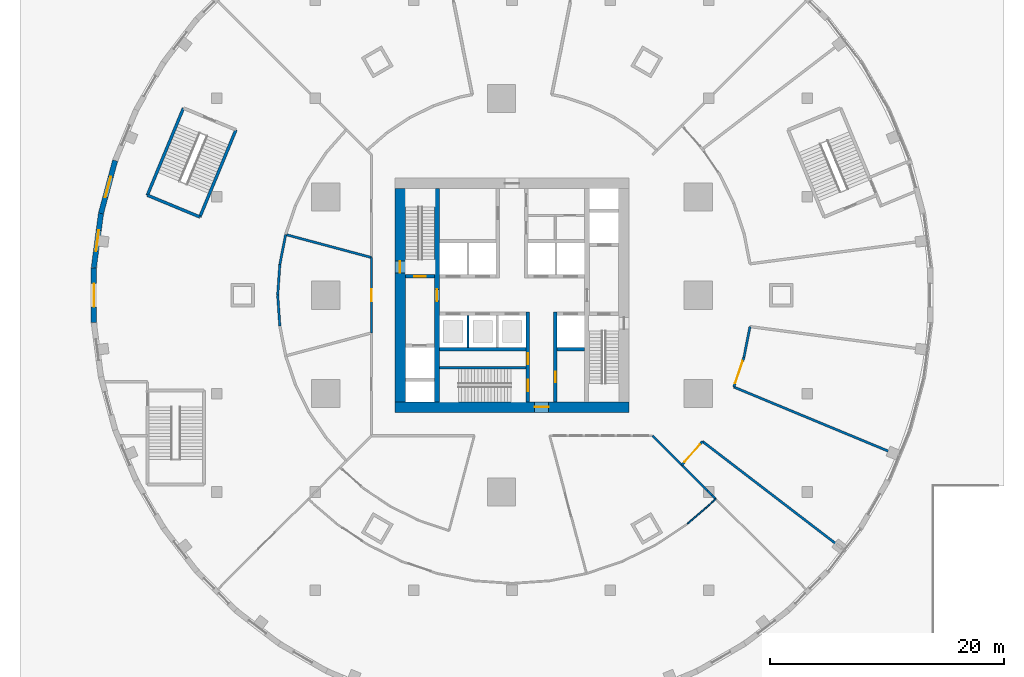
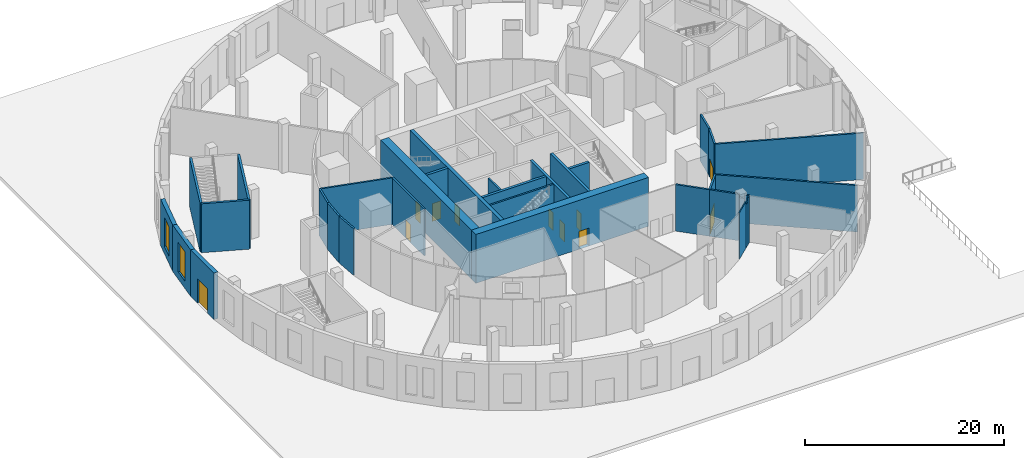
# One storey, part 11 of 19: 33 walls, 11 doors, 2 windows, 13 openings.
"""IFC4 building model written with IfcOpenShell, lengths in metres."""

from ifc_helpers import new_model, si_unit, direction, frame, frame_2d, origin, place, context, subcontext, project, spatial, rectangle, extrude, material, layer, layer_set, type_object, element, fill, save


model = new_model("IFC4")

# Units and contexts
model_context = context("Model", 3, precision=1e-05, world=origin(), true_north=direction((0.0, 1.0)))
body_context = subcontext(model_context, "Body", "Model", "MODEL_VIEW")
ifc_project = project(units=[si_unit("LENGTHUNIT", "METRE"), si_unit("AREAUNIT", "SQUARE_METRE"), si_unit("VOLUMEUNIT", "CUBIC_METRE"), si_unit("PLANEANGLEUNIT", "RADIAN"), si_unit("MASSUNIT", "GRAM", prefix="KILO")], contexts=[model_context])

# Site, building, storey
site_placement = place(None, origin())
site = spatial("IfcSite", under=ifc_project, at=site_placement, CompositionType="ELEMENT")
building_placement = place(site_placement, origin())
building = spatial("IfcBuilding", under=site, at=building_placement, Name="Golbaran Civic Tower", CompositionType="ELEMENT")
storey_placement = place(building_placement, origin())
storey = spatial("IfcBuildingStorey", under=building, at=storey_placement, Name="L00", CompositionType="ELEMENT", Elevation=0.0)

# Wall, opening, door
ifc_material_1 = material(Name="Concrete C50/60", Category="concrete")
ifc_layer_1 = layer(ifc_material_1, 0.39990234375, Name="Concrete C50/60")
ifc_layer_set_1 = layer_set([ifc_layer_1], Name="Concrete C50/60")
wall_type_1 = type_object("IfcWallType", Name="CORE WALL CONCRETE 400", PredefinedType="SOLIDWALL", material=ifc_layer_set_1)
wall_1_placement = place(storey_placement, frame((-6.39990234375, -9.10009765625, 0.0), z_axis=(0.0, 0.0, 1.0), x_axis=(0.0, 1.0, 0.0)))
wall_1 = element("IfcWall", 1, at=wall_1_placement, inside=storey, type_object=wall_type_1, Name="Core wall IW L00", PredefinedType="SOLIDWALL", context=body_context, shape_type="SweptSolid", body=[
    extrude(rectangle(XDim=18.2001953125, YDim=0.39990234375, at=frame_2d((9.10009765625, 0.0))), origin(), (0.0, 0.0, 1.0), 6.0),
])
opening_1_placement = place(wall_1_placement, frame((8.60009765625, 0.0, 0.0)))
opening_1 = element("IfcOpeningElement", 2, at=opening_1_placement, cuts=wall_1, Name="Opening L00.FL1", PredefinedType="OPENING", context=body_context, shape_type="SweptSolid", body=[
    extrude(rectangle(XDim=1.0, YDim=2.199951171875, at=frame_2d((0.5, 1.10009765625))), frame((0.0, 0.2099609375, 0.0), z_axis=(0.0, -1.0, 0.0), x_axis=(1.0, 0.0, 0.0)), (0.0, 0.0, 1.0), 0.419921875),
])
ifc_material_2 = material(Name="Timber door set in steel frame", Category="steel")
door_type_1 = type_object("IfcDoorType", Name="STAIR DOOR 1000x2200", OperationType="SINGLE_SWING_LEFT", PredefinedType="DOOR", material=ifc_material_2)
door_1_placement = place(opening_1_placement, origin())
door_1 = element("IfcDoor", 3, at=door_1_placement, inside=storey, type_object=door_type_1, Name="Fire-fighting lobby FL1 door", OperationType="SINGLE_SWING_LEFT", OverallHeight=2.199951171875, OverallWidth=1.0, PredefinedType="DOOR", context=body_context, shape_type="SweptSolid", body=[
    extrude(rectangle(XDim=1.0, YDim=2.199951171875, at=frame_2d((0.5, 1.10009765625))), frame((0.0, 0.02490234375, 0.0), z_axis=(0.0, -1.0, 0.0), x_axis=(1.0, 0.0, 0.0)), (0.0, 0.0, 1.0), 0.050048828125),
])
fill(opening_1, door_1)

ifc_layer_2 = layer(ifc_material_1, 0.89990234375, Name="Concrete C50/60")
ifc_layer_set_2 = layer_set([ifc_layer_2], Name="Concrete C50/60")
wall_type_2 = type_object("IfcWallType", Name="CORE WALL CONCRETE 900", PredefinedType="SOLIDWALL", material=ifc_layer_set_2)
wall_2_placement = place(storey_placement, frame((10.0, -9.550048828125, 0.0), z_axis=(0.0, 0.0, 1.0), x_axis=(-1.0, 0.0, 0.0)))
wall_2 = element("IfcWall", 4, at=wall_2_placement, inside=storey, type_object=wall_type_2, Name="Core wall CS L00", PredefinedType="SOLIDWALL", context=body_context, shape_type="SweptSolid", body=[
    extrude(rectangle(XDim=20.0, YDim=0.89990234375, at=frame_2d((10.0, 0.0))), origin(), (0.0, 0.0, 1.0), 6.0),
])
opening_2_placement = place(wall_2_placement, frame((6.875, 0.0, 0.0)))
opening_2 = element("IfcOpeningElement", 5, at=opening_2_placement, cuts=wall_2, Name="Opening L00.CS", PredefinedType="OPENING", context=body_context, shape_type="SweptSolid", body=[
    extrude(rectangle(XDim=1.199951171875, YDim=2.199951171875, at=frame_2d((0.60009765625, 1.10009765625))), frame((0.0, 0.4599609375, 0.0), z_axis=(0.0, -1.0, 0.0), x_axis=(1.0, 0.0, 0.0)), (0.0, 0.0, 1.0), 0.919921875),
])
door_type_2 = type_object("IfcDoorType", Name="CORE DOOR 1200x2200", OperationType="DOUBLE_DOOR_SINGLE_SWING", PredefinedType="DOOR", material=ifc_material_2)
door_2_placement = place(opening_2_placement, origin())
door_2 = element("IfcDoor", 6, at=door_2_placement, inside=storey, type_object=door_type_2, Name="Core door south", OperationType="DOUBLE_DOOR_SINGLE_SWING", OverallHeight=2.199951171875, OverallWidth=1.199951171875, PredefinedType="DOOR", context=body_context, shape_type="SweptSolid", body=[
    extrude(rectangle(XDim=1.199951171875, YDim=2.199951171875, at=frame_2d((0.60009765625, 1.10009765625))), frame((0.0, 0.02490234375, 0.0), z_axis=(0.0, -1.0, 0.0), x_axis=(1.0, 0.0, 0.0)), (0.0, 0.0, 1.0), 0.050048828125),
])
fill(opening_2, door_2)

wall_3_placement = place(storey_placement, frame((-9.550048828125, 9.10009765625, 0.0), z_axis=(0.0, 0.0, 1.0), x_axis=(0.0, -1.0, 0.0)))
wall_3 = element("IfcWall", 7, at=wall_3_placement, inside=storey, type_object=wall_type_2, Name="Core wall CW L00", PredefinedType="SOLIDWALL", context=body_context, shape_type="SweptSolid", body=[
    extrude(rectangle(XDim=18.2001953125, YDim=0.89990234375, at=frame_2d((9.10009765625, 0.0))), origin(), (0.0, 0.0, 1.0), 6.0),
])
opening_3_placement = place(wall_3_placement, frame((6.199951171875, 0.0, 0.0)))
opening_3 = element("IfcOpeningElement", 8, at=opening_3_placement, cuts=wall_3, Name="Opening L00.S1E", PredefinedType="OPENING", context=body_context, shape_type="SweptSolid", body=[
    extrude(rectangle(XDim=1.0, YDim=2.199951171875, at=frame_2d((0.5, 1.10009765625))), frame((0.0, 0.4599609375, 0.0), z_axis=(0.0, -1.0, 0.0), x_axis=(1.0, 0.0, 0.0)), (0.0, 0.0, 1.0), 0.919921875),
])
door_3_placement = place(opening_3_placement, origin())
door_3 = element("IfcDoor", 9, at=door_3_placement, inside=storey, type_object=door_type_1, Name="Stair S1 exit door", OperationType="SINGLE_SWING_LEFT", OverallHeight=2.199951171875, OverallWidth=1.0, PredefinedType="DOOR", context=body_context, shape_type="SweptSolid", body=[
    extrude(rectangle(XDim=1.0, YDim=2.199951171875, at=frame_2d((0.5, 1.10009765625))), frame((0.0, 0.02490234375, 0.0), z_axis=(0.0, -1.0, 0.0), x_axis=(1.0, 0.0, 0.0)), (0.0, 0.0, 1.0), 0.050048828125),
])
fill(opening_3, door_3)

# Walls
ifc_material_3 = material(Name="Glazed screen on steel framing", Category="steel")
ifc_layer_3 = layer(ifc_material_3, 0.1201171875, Name="Glazed screen on steel framing")
ifc_layer_set_3 = layer_set([ifc_layer_3], Name="Glazed screen on steel framing")
wall_type_3 = type_object("IfcWallType", Name="GLAZED SCREEN PARTITION 120", PredefinedType="PARTITIONING", material=ifc_layer_set_3)
wall_4_placement = place(storey_placement, frame((14.97998046875, -19.52001953125, 0.0), z_axis=(0.0, 0.0, 1.0), x_axis=(0.752226011438, 0.658905173538, 0.0)))
element("IfcWall", 10, at=wall_4_placement, inside=storey, type_object=wall_type_3, Name="Podium partition L00", PredefinedType="PARTITIONING", context=body_context, shape_type="SweptSolid", body=[
    extrude(rectangle(XDim=2.11376953125, YDim=0.1201171875, at=frame_2d((1.056884765625, 0.0))), origin(), (0.0, 0.0, 1.0), 5.699951171875),
])
wall_5_placement = place(storey_placement, frame((16.570068359375, -18.127197265625, 0.0), z_axis=(0.0, 0.0, 1.0), x_axis=(0.752081905539, 0.65906965289, 0.0)))
element("IfcWall", 11, at=wall_5_placement, inside=storey, type_object=wall_type_3, Name="Podium partition L00 under the beam over", PredefinedType="PARTITIONING", context=body_context, shape_type="SweptSolid", body=[
    extrude(rectangle(XDim=0.611572265625, YDim=0.1201171875, at=frame_2d((0.3056640625, 0.0))), origin(), (0.0, 0.0, 1.0), 5.300048828125),
])
wall_6_placement = place(storey_placement, frame((17.030029296875, -17.72412109375, 0.0), z_axis=(0.0, 0.0, 1.0), x_axis=(0.751992181934, 0.659172024824, 0.0)))
element("IfcWall", 12, at=wall_6_placement, inside=storey, type_object=wall_type_3, Name="Podium partition L00 under the beam over", PredefinedType="PARTITIONING", context=body_context, shape_type="SweptSolid", body=[
    extrude(rectangle(XDim=0.491943359375, YDim=0.1201171875, at=frame_2d((0.24609375, 0.0))), origin(), (0.0, 0.0, 1.0), 5.699951171875),
])
ifc_material_4 = material(Name="Concrete block", Category="concrete")
ifc_layer_4 = layer(ifc_material_4, 0.199951171875, Name="Concrete block")
ifc_layer_set_4 = layer_set([ifc_layer_4], Name="Concrete block")
wall_type_4 = type_object("IfcWallType", Name="LIFT SEPARATOR WALL 200", PredefinedType="SOLIDWALL", material=ifc_layer_set_4)
wall_7_placement = place(storey_placement, frame((-3.75, -1.75, 0.0), z_axis=(0.0, 0.0, 1.0), x_axis=(0.0, -1.0, 0.0)))
element("IfcWall", 13, at=wall_7_placement, inside=storey, type_object=wall_type_4, Name="Core partition SSW L00", PredefinedType="SOLIDWALL", context=body_context, shape_type="SweptSolid", body=[
    extrude(rectangle(XDim=2.699951171875, YDim=0.199951171875, at=frame_2d((1.35009765625, 0.0))), origin(), (0.0, 0.0, 1.0), 5.75),
])
ifc_material_5 = material(Name="Concrete block, plastered", Category="concrete")
ifc_layer_5 = layer(ifc_material_5, 0.199951171875, Name="Concrete block, plastered")
ifc_layer_set_5 = layer_set([ifc_layer_5], Name="Concrete block, plastered")
wall_type_5 = type_object("IfcWallType", Name="PODIUM PARTITION 200", PredefinedType="PARTITIONING", material=ifc_layer_set_5)
for number, where, z_axis, x_axis, name in (
    (14, (-20.0, 0.0, 0.0), (0.0, 0.0, 1.0), (0.068511766427, -0.997650308405, 0.0), "Podium partition L00"),
    (15, (-20.0, 0.0, 0.0), (0.0, 0.0, 1.0), (0.068511766427, 0.997650308405, 0.0), "Podium partition L00"),
):
    element("IfcWall", number, at=place(storey_placement, frame(where, z_axis=z_axis, x_axis=x_axis)), inside=storey, type_object=wall_type_5, Name=name, PredefinedType="PARTITIONING", context=body_context, shape_type="SweptSolid", body=[
        extrude(rectangle(XDim=2.626220703125, YDim=0.199951171875, at=frame_2d((1.31298828125, 0.0))), origin(), (0.0, 0.0, 1.0), 5.699951171875),
    ])
wall_8_placement = place(storey_placement, frame((-19.820068359375, 2.6201171875, 0.0), z_axis=(0.0, 0.0, 1.0), x_axis=(0.191703896297, 0.981452808924, 0.0)))
element("IfcWall", 16, at=wall_8_placement, inside=storey, type_object=wall_type_5, Name="Podium partition L00", PredefinedType="PARTITIONING", context=body_context, shape_type="SweptSolid", body=[
    extrude(rectangle(XDim=2.608154296875, YDim=0.199951171875, at=frame_2d((1.30419921875, 0.0))), origin(), (0.0, 0.0, 1.0), 5.699951171875),
])
wall_9_placement = place(storey_placement, frame((-19.320068359375, 5.179931640625, 0.0), z_axis=(0.0, 0.0, 1.0), x_axis=(0.965973496734, -0.258641071, 0.0)))
element("IfcWall", 17, at=wall_9_placement, inside=storey, type_object=wall_type_5, Name="Podium partition L00", PredefinedType="PARTITIONING", context=body_context, shape_type="SweptSolid", body=[
    extrude(rectangle(XDim=7.577880859375, YDim=0.199951171875, at=frame_2d((3.7890625, 0.0))), origin(), (0.0, 0.0, 1.0), 5.699951171875),
])
wall_10_placement = place(storey_placement, frame((12.0, -12.0, 0.0), z_axis=(0.0, 0.0, 1.0), x_axis=(0.707106781187, -0.707106781187, 0.0)))
element("IfcWall", 18, at=wall_10_placement, inside=storey, type_object=wall_type_5, Name="Podium partition L00", PredefinedType="PARTITIONING", context=body_context, shape_type="SweptSolid", body=[
    extrude(rectangle(XDim=3.53564453125, YDim=0.199951171875, at=frame_2d((1.767822265625, 0.0))), origin(), (0.0, 0.0, 1.0), 5.699951171875),
])

# Wall, opening, door
wall_11_placement = place(storey_placement, frame((14.5, -14.5, 0.0), z_axis=(0.0, 0.0, 1.0), x_axis=(0.656916126811, 0.753963661151, 0.0)))
wall_11 = element("IfcWall", 19, at=wall_11_placement, inside=storey, type_object=wall_type_5, Name="Podium partition L00", PredefinedType="PARTITIONING", context=body_context, shape_type="SweptSolid", body=[
    extrude(rectangle(XDim=2.67919921875, YDim=0.199951171875, at=frame_2d((1.339599609375, 0.0))), origin(), (0.0, 0.0, 1.0), 5.699951171875),
])
opening_4_placement = place(wall_11_placement, frame((0.339599609375, 0.0, 0.0)))
opening_4 = element("IfcOpeningElement", 20, at=opening_4_placement, cuts=wall_11, Name="Opening L00.24", PredefinedType="OPENING", context=body_context, shape_type="SweptSolid", body=[
    extrude(rectangle(XDim=2.0, YDim=2.39990234375, at=frame_2d((1.0, 1.199951171875))), frame((0.0, 0.10986328125, 0.0), z_axis=(0.0, -1.0, 0.0), x_axis=(1.0, 0.0, 0.0)), (0.0, 0.0, 1.0), 0.219970703125),
])
door_type_3 = type_object("IfcDoorType", Name="PUBLIC DOUBLE DOOR 2000x2400", OperationType="DOUBLE_DOOR_SINGLE_SWING", PredefinedType="DOOR", material=ifc_material_2)
door_4_placement = place(opening_4_placement, origin())
door_4 = element("IfcDoor", 21, at=door_4_placement, inside=storey, type_object=door_type_3, Name="Payments Office door", OperationType="DOUBLE_DOOR_SINGLE_SWING", OverallHeight=2.39990234375, OverallWidth=2.0, PredefinedType="DOOR", context=body_context, shape_type="SweptSolid", body=[
    extrude(rectangle(XDim=2.0, YDim=2.39990234375, at=frame_2d((1.0, 1.199951171875))), frame((0.0, 0.02490234375, 0.0), z_axis=(0.0, -1.0, 0.0), x_axis=(1.0, 0.0, 0.0)), (0.0, 0.0, 1.0), 0.050048828125),
])
fill(opening_4, door_4)

# Walls
wall_12_placement = place(storey_placement, frame((14.5, -14.5, 0.0), z_axis=(0.0, 0.0, 1.0), x_axis=(0.707106781187, -0.707106781187, 0.0)))
element("IfcWall", 22, at=wall_12_placement, inside=storey, type_object=wall_type_5, Name="Podium partition L00", PredefinedType="PARTITIONING", context=body_context, shape_type="SweptSolid", body=[
    extrude(rectangle(XDim=3.0830078125, YDim=0.199951171875, at=frame_2d((1.54150390625, 0.0))), origin(), (0.0, 0.0, 1.0), 5.699951171875),
])
wall_13_placement = place(storey_placement, frame((16.679931640625, -16.679931640625, 0.0), z_axis=(0.0, 0.0, 1.0), x_axis=(0.707106781187, -0.707106781187, 0.0)))
element("IfcWall", 23, at=wall_13_placement, inside=storey, type_object=wall_type_5, Name="Podium partition L00 under the beam over", PredefinedType="PARTITIONING", context=body_context, shape_type="SweptSolid", body=[
    extrude(rectangle(XDim=0.5517578125, YDim=0.199951171875, at=frame_2d((0.27587890625, 0.0))), origin(), (0.0, 0.0, 1.0), 5.300048828125),
])
wall_14_placement = place(storey_placement, frame((17.070068359375, -17.070068359375, 0.0), z_axis=(0.0, 0.0, 1.0), x_axis=(0.707106781187, -0.707106781187, 0.0)))
element("IfcWall", 24, at=wall_14_placement, inside=storey, type_object=wall_type_5, Name="Podium partition L00 under the beam over", PredefinedType="PARTITIONING", context=body_context, shape_type="SweptSolid", body=[
    extrude(rectangle(XDim=0.466552734375, YDim=0.199951171875, at=frame_2d((0.2333984375, 0.0))), origin(), (0.0, 0.0, 1.0), 5.699951171875),
])
wall_15_placement = place(storey_placement, frame((16.260009765625, -12.47998046875, 0.0), z_axis=(0.0, 0.0, 1.0), x_axis=(0.79355952344, -0.608492631637, 0.0)))
element("IfcWall", 25, at=wall_15_placement, inside=storey, type_object=wall_type_5, Name="Podium partition L00", PredefinedType="PARTITIONING", context=body_context, shape_type="SweptSolid", body=[
    extrude(rectangle(XDim=14.4306640625, YDim=0.199951171875, at=frame_2d((7.21533203125, 0.0))), origin(), (0.0, 0.0, 1.0), 5.699951171875),
])

# Wall, opening, door
wall_16_placement = place(storey_placement, frame((18.93994140625, -7.840087890625, 0.0), z_axis=(0.0, 0.0, 1.0), x_axis=(0.320730632057, 0.947170450162, 0.0)))
wall_16 = element("IfcWall", 26, at=wall_16_placement, inside=storey, type_object=wall_type_5, Name="Podium partition L00", PredefinedType="PARTITIONING", context=body_context, shape_type="SweptSolid", body=[
    extrude(rectangle(XDim=2.681640625, YDim=0.199951171875, at=frame_2d((1.3408203125, 0.0))), origin(), (0.0, 0.0, 1.0), 5.699951171875),
])
opening_5_placement = place(wall_16_placement, frame((0.3408203125, 0.0, 0.0)))
opening_5 = element("IfcOpeningElement", 27, at=opening_5_placement, cuts=wall_16, Name="Opening L00.27", PredefinedType="OPENING", context=body_context, shape_type="SweptSolid", body=[
    extrude(rectangle(XDim=2.0, YDim=2.39990234375, at=frame_2d((1.0, 1.199951171875))), frame((0.0, 0.10986328125, 0.0), z_axis=(0.0, -1.0, 0.0), x_axis=(1.0, 0.0, 0.0)), (0.0, 0.0, 1.0), 0.219970703125),
])
door_5_placement = place(opening_5_placement, origin())
door_5 = element("IfcDoor", 28, at=door_5_placement, inside=storey, type_object=door_type_3, Name="Citizens' Service Counters door", OperationType="DOUBLE_DOOR_SINGLE_SWING", OverallHeight=2.39990234375, OverallWidth=2.0, PredefinedType="DOOR", context=body_context, shape_type="SweptSolid", body=[
    extrude(rectangle(XDim=2.0, YDim=2.39990234375, at=frame_2d((1.0, 1.199951171875))), frame((0.0, 0.02490234375, 0.0), z_axis=(0.0, -1.0, 0.0), x_axis=(1.0, 0.0, 0.0)), (0.0, 0.0, 1.0), 0.050048828125),
])
fill(opening_5, door_5)

# Walls
wall_17_placement = place(storey_placement, frame((18.93994140625, -7.840087890625, 0.0), z_axis=(0.0, 0.0, 1.0), x_axis=(0.923628236009, -0.383289553272, 0.0)))
element("IfcWall", 29, at=wall_17_placement, inside=storey, type_object=wall_type_5, Name="Podium partition L00", PredefinedType="PARTITIONING", context=body_context, shape_type="SweptSolid", body=[
    extrude(rectangle(XDim=15.02783203125, YDim=0.199951171875, at=frame_2d((7.513916015625, 0.0))), origin(), (0.0, 0.0, 1.0), 5.699951171875),
])
wall_18_placement = place(storey_placement, frame((19.800048828125, -5.300048828125, 0.0), z_axis=(0.0, 0.0, 1.0), x_axis=(0.194674669879, 0.980867867201, 0.0)))
element("IfcWall", 30, at=wall_18_placement, inside=storey, type_object=wall_type_5, Name="Podium partition L00", PredefinedType="PARTITIONING", context=body_context, shape_type="SweptSolid", body=[
    extrude(rectangle(XDim=2.671142578125, YDim=0.199951171875, at=frame_2d((1.33544921875, 0.0))), origin(), (0.0, 0.0, 1.0), 5.699951171875),
])

# Wall, opening, door
wall_19_placement = place(storey_placement, frame((-12.0, 3.21533203125, 0.0), z_axis=(0.0, 0.0, 1.0), x_axis=(0.0, -1.0, 0.0)))
wall_19 = element("IfcWall", 31, at=wall_19_placement, inside=storey, type_object=wall_type_5, Name="Podium corridor wall L00", PredefinedType="PARTITIONING", context=body_context, shape_type="SweptSolid", body=[
    extrude(rectangle(XDim=6.4306640625, YDim=0.199951171875, at=frame_2d((3.21533203125, 0.0))), origin(), (0.0, 0.0, 1.0), 5.699951171875),
])
opening_6_placement = place(wall_19_placement, frame((2.71533203125, 0.0, 0.0)))
opening_6 = element("IfcOpeningElement", 32, at=opening_6_placement, cuts=wall_19, Name="Opening L00.02", PredefinedType="OPENING", context=body_context, shape_type="SweptSolid", body=[
    extrude(rectangle(XDim=1.0, YDim=2.199951171875, at=frame_2d((0.5, 1.10009765625))), frame((0.0, 0.10986328125, 0.0), z_axis=(0.0, -1.0, 0.0), x_axis=(1.0, 0.0, 0.0)), (0.0, 0.0, 1.0), 0.219970703125),
])
door_type_4 = type_object("IfcDoorType", Name="OFFICE DOOR 1000x2200", OperationType="SINGLE_SWING_LEFT", PredefinedType="DOOR", material=ifc_material_2)
door_6_placement = place(opening_6_placement, origin())
door_6 = element("IfcDoor", 33, at=door_6_placement, inside=storey, type_object=door_type_4, Name="Security Control Room door", OperationType="SINGLE_SWING_RIGHT", OverallHeight=2.199951171875, OverallWidth=1.0, PredefinedType="DOOR", context=body_context, shape_type="SweptSolid", body=[
    extrude(rectangle(XDim=1.0, YDim=2.199951171875, at=frame_2d((0.5, 1.10009765625))), frame((0.0, 0.02490234375, 0.0), z_axis=(0.0, -1.0, 0.0), x_axis=(1.0, 0.0, 0.0)), (0.0, 0.0, 1.0), 0.050048828125),
])
fill(opening_6, door_6)

# Walls
ifc_layer_6 = layer(ifc_material_1, 0.199951171875, Name="Concrete C50/60")
ifc_layer_set_6 = layer_set([ifc_layer_6], Name="Concrete C50/60")
wall_type_6 = type_object("IfcWallType", Name="SHAFT WALL CONCRETE 200", PredefinedType="SOLIDWALL", material=ifc_layer_set_6)
wall_20_placement = place(storey_placement, frame((-6.199951171875, -6.199951171875, 0.0), z_axis=(0.0, 0.0, 1.0), x_axis=(1.0, 0.0, 0.0)))
element("IfcWall", 34, at=wall_20_placement, inside=storey, type_object=wall_type_6, Name="Core wall S3N L00", PredefinedType="SOLIDWALL", context=body_context, shape_type="SweptSolid", body=[
    extrude(rectangle(XDim=7.39990234375, YDim=0.199951171875, at=frame_2d((3.699951171875, 0.0))), origin(), (0.0, 0.0, 1.0), 6.0),
])
ifc_layer_7 = layer(ifc_material_1, 0.300048828125, Name="Concrete C50/60")
ifc_layer_set_7 = layer_set([ifc_layer_7], Name="Concrete C50/60")
wall_type_7 = type_object("IfcWallType", Name="SHAFT WALL CONCRETE 300", PredefinedType="SOLIDWALL", material=ifc_layer_set_7)
wall_21_placement = place(storey_placement, frame((-6.199951171875, -4.60009765625, 0.0), z_axis=(0.0, 0.0, 1.0), x_axis=(1.0, 0.0, 0.0)))
element("IfcWall", 35, at=wall_21_placement, inside=storey, type_object=wall_type_7, Name="Core wall BSW L00", PredefinedType="SOLIDWALL", context=body_context, shape_type="SweptSolid", body=[
    extrude(rectangle(XDim=7.39990234375, YDim=0.300048828125, at=frame_2d((3.699951171875, 0.0))), origin(), (0.0, 0.0, 1.0), 6.0),
])
wall_22_placement = place(storey_placement, frame((3.85009765625, -4.60009765625, 0.0), z_axis=(0.0, 0.0, 1.0), x_axis=(1.0, 0.0, 0.0)))
element("IfcWall", 36, at=wall_22_placement, inside=storey, type_object=wall_type_7, Name="Core wall BSE L00", PredefinedType="SOLIDWALL", context=body_context, shape_type="SweptSolid", body=[
    extrude(rectangle(XDim=2.349853515625, YDim=0.300048828125, at=frame_2d((1.1748046875, 0.0))), origin(), (0.0, 0.0, 1.0), 6.0),
])

# Wall, openings, doors
wall_23_placement = place(storey_placement, frame((1.35009765625, -1.449951171875, 0.0), z_axis=(0.0, 0.0, 1.0), x_axis=(0.0, -1.0, 0.0)))
wall_23 = element("IfcWall", 37, at=wall_23_placement, inside=storey, type_object=wall_type_7, Name="Core wall PSW L00", PredefinedType="SOLIDWALL", context=body_context, shape_type="SweptSolid", body=[
    extrude(rectangle(XDim=7.650146484375, YDim=0.300048828125, at=frame_2d((3.8251953125, 0.0))), origin(), (0.0, 0.0, 1.0), 6.0),
])
opening_7_placement = place(wall_23_placement, frame((5.75, 0.0, 0.0)))
opening_7 = element("IfcOpeningElement", 38, at=opening_7_placement, cuts=wall_23, Name="Opening L00.S3", PredefinedType="OPENING", context=body_context, shape_type="SweptSolid", body=[
    extrude(rectangle(XDim=1.0, YDim=2.199951171875, at=frame_2d((0.5, 1.10009765625))), frame((0.0, 0.159912109375, 0.0), z_axis=(0.0, -1.0, 0.0), x_axis=(1.0, 0.0, 0.0)), (0.0, 0.0, 1.0), 0.320068359375),
])
opening_8_placement = place(wall_23_placement, frame((3.52490234375, 0.0, 0.0)))
opening_8 = element("IfcOpeningElement", 39, at=opening_8_placement, cuts=wall_23, Name="Opening L00.RE", PredefinedType="OPENING", context=body_context, shape_type="SweptSolid", body=[
    extrude(rectangle(XDim=0.89990234375, YDim=2.199951171875, at=frame_2d((0.449951171875, 1.10009765625))), frame((0.0, 0.159912109375, 0.0), z_axis=(0.0, -1.0, 0.0), x_axis=(1.0, 0.0, 0.0)), (0.0, 0.0, 1.0), 0.320068359375),
])
door_type_5 = type_object("IfcDoorType", Name="RISER DOOR 900x2200", OperationType="SINGLE_SWING_LEFT", PredefinedType="DOOR", material=ifc_material_2)
door_7_placement = place(opening_8_placement, origin())
door_7 = element("IfcDoor", 40, at=door_7_placement, inside=storey, type_object=door_type_5, Name="Electrical riser door", OperationType="SINGLE_SWING_RIGHT", OverallHeight=2.199951171875, OverallWidth=0.89990234375, PredefinedType="DOOR", context=body_context, shape_type="SweptSolid", body=[
    extrude(rectangle(XDim=0.89990234375, YDim=2.199951171875, at=frame_2d((0.449951171875, 1.10009765625))), frame((0.0, 0.02490234375, 0.0), z_axis=(0.0, -1.0, 0.0), x_axis=(1.0, 0.0, 0.0)), (0.0, 0.0, 1.0), 0.050048828125),
])
fill(opening_8, door_7)
door_8_placement = place(opening_7_placement, origin())
door_8 = element("IfcDoor", 41, at=door_8_placement, inside=storey, type_object=door_type_1, Name="Stair S3 door", OperationType="SINGLE_SWING_RIGHT", OverallHeight=2.199951171875, OverallWidth=1.0, PredefinedType="DOOR", context=body_context, shape_type="SweptSolid", body=[
    extrude(rectangle(XDim=1.0, YDim=2.199951171875, at=frame_2d((0.5, 1.10009765625))), frame((0.0, 0.02490234375, 0.0), z_axis=(0.0, -1.0, 0.0), x_axis=(1.0, 0.0, 0.0)), (0.0, 0.0, 1.0), 0.050048828125),
])
fill(opening_7, door_8)

# Wall, opening, door
wall_24_placement = place(storey_placement, frame((3.699951171875, -1.449951171875, 0.0), z_axis=(0.0, 0.0, 1.0), x_axis=(0.0, -1.0, 0.0)))
wall_24 = element("IfcWall", 42, at=wall_24_placement, inside=storey, type_object=wall_type_7, Name="Core wall PSE L00", PredefinedType="SOLIDWALL", context=body_context, shape_type="SweptSolid", body=[
    extrude(rectangle(XDim=7.650146484375, YDim=0.300048828125, at=frame_2d((3.8251953125, 0.0))), origin(), (0.0, 0.0, 1.0), 6.0),
])
opening_9_placement = place(wall_24_placement, frame((5.10009765625, 0.0, 0.0)))
opening_9 = element("IfcOpeningElement", 43, at=opening_9_placement, cuts=wall_24, Name="Opening L00.RM", PredefinedType="OPENING", context=body_context, shape_type="SweptSolid", body=[
    extrude(rectangle(XDim=0.89990234375, YDim=2.199951171875, at=frame_2d((0.449951171875, 1.10009765625))), frame((0.0, 0.159912109375, 0.0), z_axis=(0.0, -1.0, 0.0), x_axis=(1.0, 0.0, 0.0)), (0.0, 0.0, 1.0), 0.320068359375),
])
door_9_placement = place(opening_9_placement, origin())
door_9 = element("IfcDoor", 44, at=door_9_placement, inside=storey, type_object=door_type_5, Name="Mechanical riser door", OperationType="SINGLE_SWING_RIGHT", OverallHeight=2.199951171875, OverallWidth=0.89990234375, PredefinedType="DOOR", context=body_context, shape_type="SweptSolid", body=[
    extrude(rectangle(XDim=0.89990234375, YDim=2.199951171875, at=frame_2d((0.449951171875, 1.10009765625))), frame((0.0, 0.02490234375, 0.0), z_axis=(0.0, -1.0, 0.0), x_axis=(1.0, 0.0, 0.0)), (0.0, 0.0, 1.0), 0.050048828125),
])
fill(opening_9, door_9)

wall_25_placement = place(storey_placement, frame((-9.10009765625, 1.60009765625, 0.0), z_axis=(0.0, 0.0, 1.0), x_axis=(1.0, 0.0, 0.0)))
wall_25 = element("IfcWall", 45, at=wall_25_placement, inside=storey, type_object=wall_type_7, Name="Core wall XW1 L00", PredefinedType="SOLIDWALL", context=body_context, shape_type="SweptSolid", body=[
    extrude(rectangle(XDim=2.5, YDim=0.300048828125, at=frame_2d((1.25, 0.0))), origin(), (0.0, 0.0, 1.0), 6.0),
])
opening_10_placement = place(wall_25_placement, frame((0.75, 0.0, 0.0)))
opening_10 = element("IfcOpeningElement", 46, at=opening_10_placement, cuts=wall_25, Name="Opening L00.S1", PredefinedType="OPENING", context=body_context, shape_type="SweptSolid", body=[
    extrude(rectangle(XDim=1.0, YDim=2.199951171875, at=frame_2d((0.5, 1.10009765625))), frame((0.0, 0.159912109375, 0.0), z_axis=(0.0, -1.0, 0.0), x_axis=(1.0, 0.0, 0.0)), (0.0, 0.0, 1.0), 0.320068359375),
])
door_10_placement = place(opening_10_placement, origin())
door_10 = element("IfcDoor", 47, at=door_10_placement, inside=storey, type_object=door_type_1, Name="Stair S1 door", OperationType="SINGLE_SWING_LEFT", OverallHeight=2.199951171875, OverallWidth=1.0, PredefinedType="DOOR", context=body_context, shape_type="SweptSolid", body=[
    extrude(rectangle(XDim=1.0, YDim=2.199951171875, at=frame_2d((0.5, 1.10009765625))), frame((0.0, 0.02490234375, 0.0), z_axis=(0.0, -1.0, 0.0), x_axis=(1.0, 0.0, 0.0)), (0.0, 0.0, 1.0), 0.050048828125),
])
fill(opening_10, door_10)

# Walls
ifc_layer_8 = layer(ifc_material_1, 0.25, Name="Concrete C50/60")
ifc_layer_set_8 = layer_set([ifc_layer_8], Name="Concrete C50/60")
wall_type_8 = type_object("IfcWallType", Name="STAIR ENCLOSURE WALL CONCRETE 250", PredefinedType="SOLIDWALL", material=ifc_layer_set_8)
wall_26_placement = place(storey_placement, frame((-23.566162109375, 14.117919921875, 0.0), z_axis=(0.0, 0.0, 1.0), x_axis=(-0.382689294869, -0.923877104161, 0.0)))
element("IfcWall", 48, at=wall_26_placement, inside=storey, type_object=wall_type_8, Name="Stair P2 enclosure B L00", PredefinedType="SOLIDWALL", context=body_context, shape_type="SweptSolid", body=[
    extrude(rectangle(XDim=8.0498046875, YDim=0.25, at=frame_2d((4.02490234375, 0.0))), origin(), (0.0, 0.0, 1.0), 6.0),
])
wall_27_placement = place(storey_placement, frame((-26.646728515625, 6.680908203125, 0.0), z_axis=(0.0, 0.0, 1.0), x_axis=(-0.923880627248, 0.382680789426, 0.0)))
element("IfcWall", 49, at=wall_27_placement, inside=storey, type_object=wall_type_8, Name="Stair P2 enclosure C L00", PredefinedType="SOLIDWALL", context=body_context, shape_type="SweptSolid", body=[
    extrude(rectangle(XDim=4.849853515625, YDim=0.25, at=frame_2d((2.4248046875, 0.0))), origin(), (0.0, 0.0, 1.0), 6.0),
])
wall_28_placement = place(storey_placement, frame((-31.12744140625, 8.536865234375, 0.0), z_axis=(0.0, 0.0, 1.0), x_axis=(0.382678572144, 0.923881545666, 0.0)))
element("IfcWall", 50, at=wall_28_placement, inside=storey, type_object=wall_type_8, Name="Stair P2 enclosure D L00", PredefinedType="SOLIDWALL", context=body_context, shape_type="SweptSolid", body=[
    extrude(rectangle(XDim=8.050048828125, YDim=0.25, at=frame_2d((4.02490234375, 0.0))), origin(), (0.0, 0.0, 1.0), 6.0),
])

# Wall, opening, window
ifc_material_6 = material(Name="Terracotta brick", Category="masonry")
ifc_layer_9 = layer(ifc_material_6, 0.449951171875, Name="Terracotta brick")
ifc_layer_set_9 = layer_set([ifc_layer_9], Name="Terracotta brick")
wall_type_9 = type_object("IfcWallType", Name="TERRACOTTA BRICK FACADE WALL 450", PredefinedType="SOLIDWALL", material=ifc_layer_set_9)
wall_29_placement = place(storey_placement, frame((-33.87646484375, 11.49951171875, 0.0), z_axis=(0.0, 0.0, 1.0), x_axis=(-0.258815185258, -0.965926860523, 0.0)))
wall_29 = element("IfcWall", 51, at=wall_29_placement, inside=storey, type_object=wall_type_9, Name="Podium wall L00 facet 22", PredefinedType="SOLIDWALL", context=body_context, shape_type="SweptSolid", body=[
    extrude(rectangle(XDim=4.6796875, YDim=0.449951171875, at=frame_2d((2.33984375, 0.0))), origin(), (0.0, 0.0, 1.0), 5.699951171875),
])
opening_11_placement = place(wall_29_placement, frame((1.439697265625, 0.0, 0.89990234375)))
opening_11 = element("IfcOpeningElement", 52, at=opening_11_placement, cuts=wall_29, Name="Opening L00.W15", PredefinedType="OPENING", context=body_context, shape_type="SweptSolid", body=[
    extrude(rectangle(XDim=1.800048828125, YDim=3.60009765625, at=frame_2d((0.89990234375, 1.800048828125))), frame((0.0, 0.23486328125, 0.0), z_axis=(0.0, -1.0, 0.0), x_axis=(1.0, 0.0, 0.0)), (0.0, 0.0, 1.0), 0.469970703125),
])
ifc_material_7 = material(Name="Aluminium frame, clear glass", Category="aluminium")
window_type = type_object("IfcWindowType", Name="PODIUM WINDOW 1800x3600", PartitioningType="SINGLE_PANEL", PredefinedType="WINDOW", material=ifc_material_7)
window_1_placement = place(opening_11_placement, origin())
window_1 = element("IfcWindow", 53, at=window_1_placement, inside=storey, type_object=window_type, Name="Podium window L00 facet 22", OverallHeight=3.60009765625, OverallWidth=1.800048828125, PartitioningType="SINGLE_PANEL", PredefinedType="WINDOW", context=body_context, shape_type="SweptSolid", body=[
    extrude(rectangle(XDim=1.800048828125, YDim=3.60009765625, at=frame_2d((0.89990234375, 1.800048828125))), frame((0.0, 0.030029296875, 0.0), z_axis=(0.0, -1.0, 0.0), x_axis=(1.0, 0.0, 0.0)), (0.0, 0.0, 1.0), 0.06005859375),
])
fill(opening_11, window_1)

wall_30_placement = place(storey_placement, frame((-35.087646484375, 6.979248046875, 0.0), z_axis=(0.0, 0.0, 1.0), x_axis=(-0.130536838198, -0.991443459746, 0.0)))
wall_30 = element("IfcWall", 54, at=wall_30_placement, inside=storey, type_object=wall_type_9, Name="Podium wall L00 facet 23", PredefinedType="SOLIDWALL", context=body_context, shape_type="SweptSolid", body=[
    extrude(rectangle(XDim=4.679443359375, YDim=0.449951171875, at=frame_2d((2.33984375, 0.0))), origin(), (0.0, 0.0, 1.0), 5.699951171875),
])
opening_12_placement = place(wall_30_placement, frame((1.439697265625, 0.0, 0.89990234375)))
opening_12 = element("IfcOpeningElement", 55, at=opening_12_placement, cuts=wall_30, Name="Opening L00.W16", PredefinedType="OPENING", context=body_context, shape_type="SweptSolid", body=[
    extrude(rectangle(XDim=1.800048828125, YDim=3.60009765625, at=frame_2d((0.89990234375, 1.800048828125))), frame((0.0, 0.23486328125, 0.0), z_axis=(0.0, -1.0, 0.0), x_axis=(1.0, 0.0, 0.0)), (0.0, 0.0, 1.0), 0.469970703125),
])
window_2_placement = place(opening_12_placement, origin())
window_2 = element("IfcWindow", 56, at=window_2_placement, inside=storey, type_object=window_type, Name="Podium window L00 facet 23", OverallHeight=3.60009765625, OverallWidth=1.800048828125, PartitioningType="SINGLE_PANEL", PredefinedType="WINDOW", context=body_context, shape_type="SweptSolid", body=[
    extrude(rectangle(XDim=1.800048828125, YDim=3.60009765625, at=frame_2d((0.89990234375, 1.800048828125))), frame((0.0, 0.030029296875, 0.0), z_axis=(0.0, -1.0, 0.0), x_axis=(1.0, 0.0, 0.0)), (0.0, 0.0, 1.0), 0.06005859375),
])
fill(opening_12, window_2)

# Wall, opening, door
wall_31_placement = place(storey_placement, frame((-35.698486328125, 2.33984375, 0.0), z_axis=(0.0, 0.0, 1.0), x_axis=(0.0, -1.0, 0.0)))
wall_31 = element("IfcWall", 57, at=wall_31_placement, inside=storey, type_object=wall_type_9, Name="Podium wall L00 facet 24", PredefinedType="SOLIDWALL", context=body_context, shape_type="SweptSolid", body=[
    extrude(rectangle(XDim=4.6796875, YDim=0.449951171875, at=frame_2d((2.33984375, 0.0))), origin(), (0.0, 0.0, 1.0), 5.699951171875),
])
opening_13_placement = place(wall_31_placement, frame((1.33984375, 0.0, 0.0)))
opening_13 = element("IfcOpeningElement", 58, at=opening_13_placement, cuts=wall_31, Name="Opening L00.09", PredefinedType="OPENING", context=body_context, shape_type="SweptSolid", body=[
    extrude(rectangle(XDim=2.0, YDim=3.0, at=frame_2d((1.0, 1.5))), frame((0.0, 0.23486328125, 0.0), z_axis=(0.0, -1.0, 0.0), x_axis=(1.0, 0.0, 0.0)), (0.0, 0.0, 1.0), 0.469970703125),
])
ifc_material_8 = material(Name="Bronze-finished aluminium and glass", Category="aluminium")
door_type_6 = type_object("IfcDoorType", Name="ENTRANCE DOOR 2000x3000", OperationType="DOUBLE_DOOR_SINGLE_SWING", PredefinedType="DOOR", material=ifc_material_8)
door_11_placement = place(opening_13_placement, frame((2.0, 0.0, 0.0), z_axis=(0.0, 0.0, 1.0), x_axis=(-1.0, 0.0, 0.0)))
door_11 = element("IfcDoor", 59, at=door_11_placement, inside=storey, type_object=door_type_6, Name="Cafe Entrance door", OperationType="DOUBLE_DOOR_SINGLE_SWING", OverallHeight=3.0, OverallWidth=2.0, PredefinedType="DOOR", context=body_context, shape_type="SweptSolid", body=[
    extrude(rectangle(XDim=2.0, YDim=3.0, at=frame_2d((1.0, 1.5))), frame((0.0, 0.02490234375, 0.0), z_axis=(0.0, -1.0, 0.0), x_axis=(1.0, 0.0, 0.0)), (0.0, 0.0, 1.0), 0.050048828125),
])
fill(opening_13, door_11)

save(model, "model.ifc")
